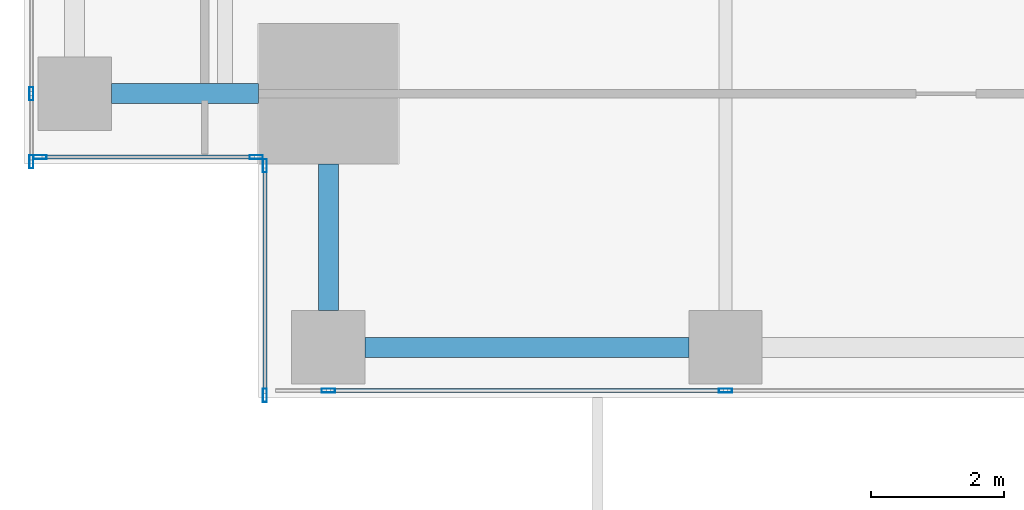
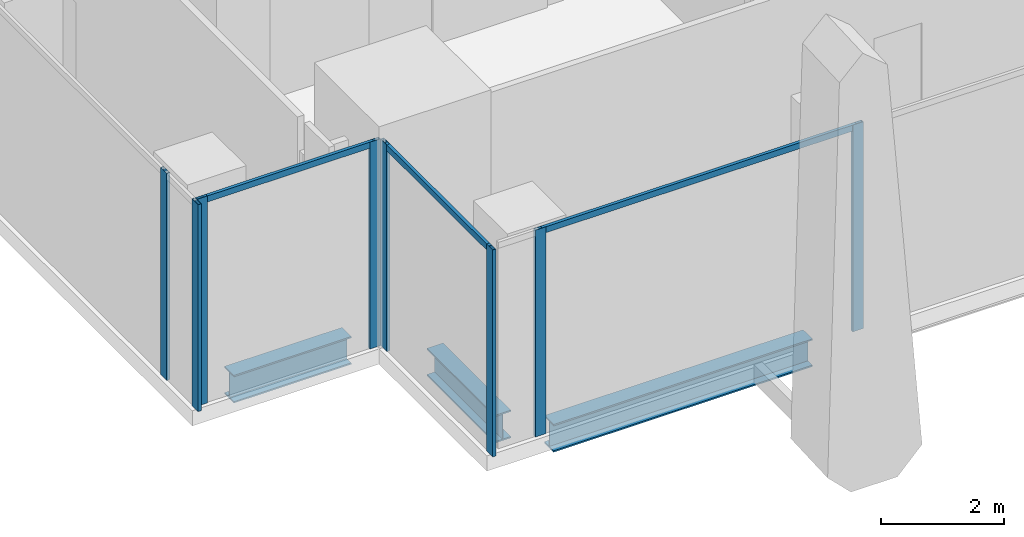
# One storey, part 2 of 35: 11 members, 3 beams, 4 elements without a shape of their own.
"""IFC4 building model written with IfcOpenShell, lengths in metres."""

from ifc_helpers import new_model, si_unit, direction, frame, origin, origin_2d, place, context, subcontext, project, spatial, hollow_rectangle, i_section, extrude, source, transform, mapped, material, material_profile, profile_set, type_object, element, aggregate, save


model = new_model("IFC4")

# Units and contexts
model_context = context("Model", 3, precision=1e-05, world=origin(), true_north=direction((0.0, 1.0)))
body_context = subcontext(model_context, "Body", "Model", "MODEL_VIEW")
ifc_project = project(units=[si_unit("LENGTHUNIT", "METRE"), si_unit("AREAUNIT", "SQUARE_METRE"), si_unit("VOLUMEUNIT", "CUBIC_METRE"), si_unit("PLANEANGLEUNIT", "RADIAN"), si_unit("MASSUNIT", "GRAM", prefix="KILO")], contexts=[model_context])

# Site, building, storey
site_placement = place(None, origin())
site = spatial("IfcSite", under=ifc_project, at=site_placement, CompositionType="ELEMENT")
building_placement = place(site_placement, origin())
building = spatial("IfcBuilding", under=site, at=building_placement, Name="Khomas Fold Tower", CompositionType="ELEMENT")
storey_placement = place(building_placement, frame((0.0, 0.0, 136.699951171875)))
storey = spatial("IfcBuildingStorey", under=building, at=storey_placement, Name="L29", CompositionType="ELEMENT", Elevation=136.699951171875)

# Beams
ifc_material_1 = material(Name="Steel S355", Category="steel")
ifc_material_profile_1 = material_profile(ifc_material_1, i_section(OverallWidth=0.300048828125, OverallDepth=0.550048828125, WebThickness=0.014892578125, FlangeThickness=0.029052734375, at=origin_2d()), Name="HE 550 B")
ifc_profile_set_1 = profile_set([ifc_material_profile_1], Name="Steel S355")
beam_type = type_object("IfcBeamType", Name="HE 550 B spandrel SB2", PredefinedType="SPANDREL", material=ifc_profile_set_1)
shared_shape_1 = source(origin(), body_context, "Body", "SweptSolid", [
    extrude(i_section(OverallWidth=0.300048828125, OverallDepth=0.550048828125, WebThickness=0.014892578125, FlangeThickness=0.029052734375, at=origin_2d()), origin(), (0.0, 0.0, 1.0), 4.849853515625),
])
beam_placement = place(storey_placement, frame((6.60009765625, 2.25, -0.574951171875), z_axis=(1.0, 0.0, 0.0), x_axis=(0.0, 1.0, 0.0)))
element("IfcBeam", 1, at=beam_placement, inside=storey, type_object=beam_type, Name="SB2", PredefinedType="SPANDREL", context=body_context, shape_type="MappedRepresentation", body=[
    mapped(shared_shape_1, transform((0.0, 0.0, 0.0))),
])
shared_shape_2 = source(origin(), body_context, "Body", "SweptSolid", [
    extrude(i_section(OverallWidth=0.300048828125, OverallDepth=0.550048828125, WebThickness=0.014892578125, FlangeThickness=0.029052734375, at=origin_2d()), origin(), (0.0, 0.0, 1.0), 2.199951171875),
])
for number, where, z_axis, x_axis, name in (
    (2, (2.800048828125, 6.050048828125, -0.574951171875), (1.0, 0.0, 0.0), (0.0, 1.0, 0.0), "SB2"),
    (3, (6.050048828125, 2.800048828125, -0.574951171875), (0.0, 1.0, 0.0), (-1.0, 0.0, 0.0), "SB2"),
):
    element("IfcBeam", number, at=place(storey_placement, frame(where, z_axis=z_axis, x_axis=x_axis)), inside=storey, type_object=beam_type, Name=name, PredefinedType="SPANDREL", context=body_context, shape_type="MappedRepresentation", body=[
        mapped(shared_shape_2, transform((0.0, 0.0, 0.0))),
    ])

# Curtain wall, members
ifc_material_2 = material(Name="Aluminium framed double glazing", Category="aluminium")
curtain_wall_type = type_object("IfcCurtainWallType", Name="SK-Unitised clear-glass wall, growing floors CW1", PredefinedType="NOTDEFINED", material=ifc_material_2)
curtain_wall_1_placement = place(storey_placement, origin())
curtain_wall_1 = element("IfcCurtainWall", 4, at=curtain_wall_1_placement, inside=storey, type_object=curtain_wall_type, Name="CW1 run L29 00-0", PredefinedType="NOTDEFINED")
ifc_material_3 = material(Name="Aluminium", Category="aluminium")
ifc_material_profile_2 = material_profile(ifc_material_3, hollow_rectangle(XDim=0.06005859375, YDim=0.199951171875, WallThickness=0.00390625, at=origin_2d()), Name="SK-Unitised clear-glass wall, growing floors mullion CW1-M")
ifc_profile_set_2 = profile_set([ifc_material_profile_2], Name="Aluminium")
member_type_1 = type_object("IfcMemberType", Name="SK-Unitised clear-glass wall, growing floors mullion CW1-M", PredefinedType="MULLION", material=ifc_profile_set_2)
shared_shape_3 = source(origin(), body_context, "Body", "SweptSolid", [
    extrude(hollow_rectangle(XDim=0.06005859375, YDim=0.199951171875, WallThickness=0.00390625, at=origin_2d()), origin(), (0.0, 0.0, 1.0), 4.10009765625),
])
member_1_placement = place(storey_placement, frame((6.050048828125, 1.60009765625, 0.0), z_axis=(0.0, 0.0, 1.0), x_axis=(0.0, 1.0, 0.0)))
member_1 = element("IfcMember", 5, at=member_1_placement, type_object=member_type_1, Name="CW1 mullion 2", PredefinedType="MULLION", context=body_context, shape_type="MappedRepresentation", body=[
    mapped(shared_shape_3, transform((0.0, 0.0, 0.0))),
])
member_2_placement = place(storey_placement, frame((12.0, 1.60009765625, 0.0), z_axis=(0.0, 0.0, 1.0), x_axis=(0.0, 1.0, 0.0)))
member_2 = element("IfcMember", 6, at=member_2_placement, type_object=member_type_1, Name="CW1 mullion 3", PredefinedType="MULLION", context=body_context, shape_type="MappedRepresentation", body=[
    mapped(shared_shape_3, transform((0.0, 0.0, 0.0))),
])

curtain_wall_2_placement = place(storey_placement, origin())
curtain_wall_2 = element("IfcCurtainWall", 7, at=curtain_wall_2_placement, inside=storey, type_object=curtain_wall_type, Name="CW1 run L29 09-1", PredefinedType="NOTDEFINED")
member_3_placement = place(storey_placement, frame((1.60009765625, 6.050048828125, 0.0), z_axis=(0.0, 0.0, 1.0), x_axis=(1.0, 0.0, 0.0)))
member_3 = element("IfcMember", 8, at=member_3_placement, type_object=member_type_1, Name="CW1 mullion 5", PredefinedType="MULLION", context=body_context, shape_type="MappedRepresentation", body=[
    mapped(shared_shape_3, transform((0.0, 0.0, 0.0))),
])
member_4_placement = place(storey_placement, frame((1.60009765625, 5.030029296875, 0.0), z_axis=(0.0, 0.0, 1.0), x_axis=(1.0, 0.0, 0.0)))
member_4 = element("IfcMember", 9, at=member_4_placement, type_object=member_type_1, Name="CW1 mullion 6", PredefinedType="MULLION", context=body_context, shape_type="MappedRepresentation", body=[
    mapped(shared_shape_3, transform((0.0, 0.0, 0.0))),
])
aggregate(curtain_wall_2, [member_3, member_4])

curtain_wall_3_placement = place(storey_placement, origin())
curtain_wall_3 = element("IfcCurtainWall", 10, at=curtain_wall_3_placement, inside=storey, type_object=curtain_wall_type, Name="CW1 corner return L29 10", PredefinedType="NOTDEFINED")
member_5_placement = place(storey_placement, frame((1.72998046875, 5.10009765625, 0.0), z_axis=(0.0, 0.0, 1.0), x_axis=(0.0, 1.0, 0.0)))
member_5 = element("IfcMember", 11, at=member_5_placement, type_object=member_type_1, Name="CW1 mullion 1", PredefinedType="MULLION", context=body_context, shape_type="MappedRepresentation", body=[
    mapped(shared_shape_3, transform((0.0, 0.0, 0.0))),
])
member_6_placement = place(storey_placement, frame((4.969970703125, 5.10009765625, 0.0), z_axis=(0.0, 0.0, 1.0), x_axis=(0.0, 1.0, 0.0)))
member_6 = element("IfcMember", 12, at=member_6_placement, type_object=member_type_1, Name="CW1 mullion 2", PredefinedType="MULLION", context=body_context, shape_type="MappedRepresentation", body=[
    mapped(shared_shape_3, transform((0.0, 0.0, 0.0))),
])

curtain_wall_4_placement = place(storey_placement, origin())
curtain_wall_4 = element("IfcCurtainWall", 13, at=curtain_wall_4_placement, inside=storey, type_object=curtain_wall_type, Name="CW1 corner return L29 11", PredefinedType="NOTDEFINED")
member_7_placement = place(storey_placement, frame((5.10009765625, 4.969970703125, 0.0), z_axis=(0.0, 0.0, 1.0), x_axis=(1.0, 0.0, 0.0)))
member_7 = element("IfcMember", 14, at=member_7_placement, type_object=member_type_1, Name="CW1 mullion 1", PredefinedType="MULLION", context=body_context, shape_type="MappedRepresentation", body=[
    mapped(shared_shape_3, transform((0.0, 0.0, 0.0))),
])
member_8_placement = place(storey_placement, frame((5.10009765625, 1.530029296875, 0.0), z_axis=(0.0, 0.0, 1.0), x_axis=(1.0, 0.0, 0.0)))
member_8 = element("IfcMember", 15, at=member_8_placement, type_object=member_type_1, Name="CW1 mullion 2", PredefinedType="MULLION", context=body_context, shape_type="MappedRepresentation", body=[
    mapped(shared_shape_3, transform((0.0, 0.0, 0.0))),
])

# Member
ifc_material_4 = material(Name="Aluminium", Category="aluminium")
ifc_material_profile_3 = material_profile(ifc_material_4, hollow_rectangle(XDim=0.06005859375, YDim=0.1201171875, WallThickness=0.00390625, at=origin_2d()), Name="SK-Unitised clear-glass wall, growing floors transom CW1-T")
ifc_profile_set_3 = profile_set([ifc_material_profile_3], Name="Aluminium")
member_type_2 = type_object("IfcMemberType", Name="SK-Unitised clear-glass wall, growing floors transom CW1-T", PredefinedType="USERDEFINED", material=ifc_profile_set_3)
shared_shape_4 = source(origin(), body_context, "Body", "SweptSolid", [
    extrude(hollow_rectangle(XDim=0.06005859375, YDim=0.1201171875, WallThickness=0.00390625, at=origin_2d()), origin(), (0.0, 0.0, 1.0), 5.889892578125),
])
member_9_placement = place(storey_placement, frame((6.080078125, 1.60009765625, 4.0400390625), z_axis=(1.0, 0.0, 0.0), x_axis=(0.0, 1.0, 0.0)))
member_9 = element("IfcMember", 16, at=member_9_placement, type_object=member_type_2, Name="CW1 transom 2", ObjectType="TRANSOM", PredefinedType="USERDEFINED", context=body_context, shape_type="MappedRepresentation", body=[
    mapped(shared_shape_4, transform((0.0, 0.0, 0.0))),
])

aggregate(curtain_wall_1, [member_1, member_2, member_9])

shared_shape_5 = source(origin(), body_context, "Body", "SweptSolid", [
    extrude(hollow_rectangle(XDim=0.06005859375, YDim=0.1201171875, WallThickness=0.00390625, at=origin_2d()), origin(), (0.0, 0.0, 1.0), 3.179931640625),
])
member_10_placement = place(storey_placement, frame((1.760009765625, 5.10009765625, 4.0400390625), z_axis=(1.0, 0.0, 0.0), x_axis=(0.0, 1.0, 0.0)))
member_10 = element("IfcMember", 17, at=member_10_placement, type_object=member_type_2, Name="CW1 transom 1", ObjectType="TRANSOM", PredefinedType="USERDEFINED", context=body_context, shape_type="MappedRepresentation", body=[
    mapped(shared_shape_5, transform((0.0, 0.0, 0.0))),
])

aggregate(curtain_wall_3, [member_5, member_6, member_10])

shared_shape_6 = source(origin(), body_context, "Body", "SweptSolid", [
    extrude(hollow_rectangle(XDim=0.06005859375, YDim=0.1201171875, WallThickness=0.00390625, at=origin_2d()), origin(), (0.0, 0.0, 1.0), 3.3798828125),
])
member_11_placement = place(storey_placement, frame((5.10009765625, 4.93994140625, 4.0400390625), z_axis=(0.0, -1.0, 0.0), x_axis=(1.0, 0.0, 0.0)))
member_11 = element("IfcMember", 18, at=member_11_placement, type_object=member_type_2, Name="CW1 transom 1", ObjectType="TRANSOM", PredefinedType="USERDEFINED", context=body_context, shape_type="MappedRepresentation", body=[
    mapped(shared_shape_6, transform((0.0, 0.0, 0.0))),
])

aggregate(curtain_wall_4, [member_7, member_8, member_11])

save(model, "model.ifc")
